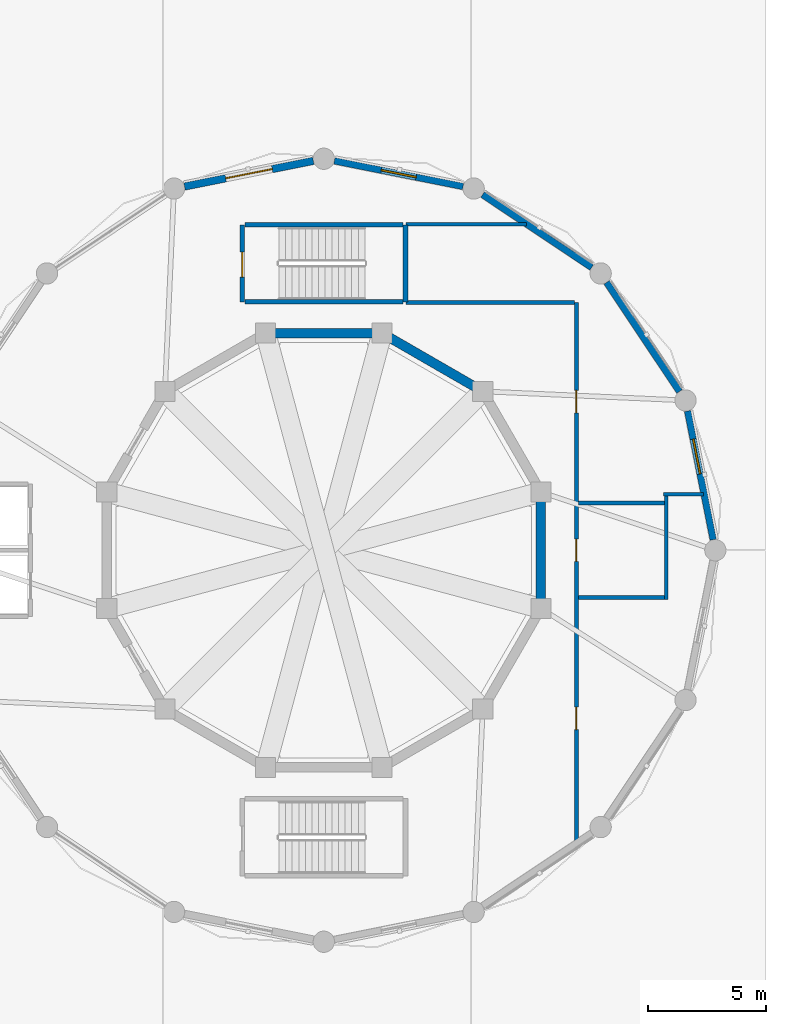
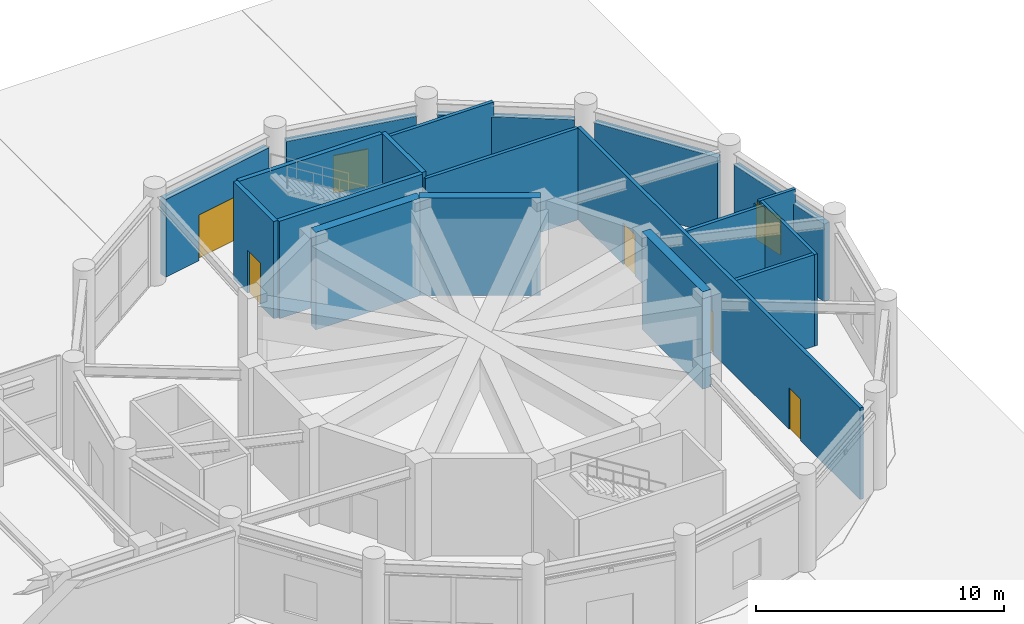
# One storey, part 28 of 40: 19 walls, 5 doors, 2 windows, 7 openings.
"""IFC4 building model written with IfcOpenShell, lengths in metres."""

from ifc_helpers import new_model, si_unit, derived_unit, direction, frame, frame_2d, origin, place, context, subcontext, project, spatial, rectangle, extrude, material, layer, layer_set, type_object, element, fill, save


model = new_model("IFC4")

# Units and contexts
model_context = context("Model", 3, precision=1e-05, world=origin(), true_north=direction((0.0, 1.0)))
body_context = subcontext(model_context, "Body", "Model", "MODEL_VIEW")
ifc_project = project(units=[si_unit("LENGTHUNIT", "METRE"), si_unit("AREAUNIT", "SQUARE_METRE"), si_unit("VOLUMEUNIT", "CUBIC_METRE"), si_unit("PLANEANGLEUNIT", "RADIAN"), si_unit("MASSUNIT", "GRAM", prefix="KILO"), derived_unit("THERMALTRANSMITTANCEUNIT", [(si_unit("POWERUNIT", "WATT"), 1), (si_unit("LENGTHUNIT", "METRE"), -2), (si_unit("THERMODYNAMICTEMPERATUREUNIT", "KELVIN"), -1)])], contexts=[model_context])

# Site, building, storey
site_placement = place(None, origin())
site = spatial("IfcSite", under=ifc_project, at=site_placement, CompositionType="ELEMENT")
building_placement = place(site_placement, origin())
building = spatial("IfcBuilding", under=site, at=building_placement, Name="Korsvarv Bourse and Concert Hall", CompositionType="ELEMENT")
storey_placement = place(building_placement, origin())
storey = spatial("IfcBuildingStorey", under=building, at=storey_placement, Name="L00", CompositionType="ELEMENT", Elevation=0.0)

# Wall, opening, door
ifc_material_1 = material(Name="Concrete C50/60", Category="concrete")
ifc_layer_1 = layer(ifc_material_1, 0.3798828125)
ifc_layer_set_1 = layer_set([ifc_layer_1], Name="Concrete C50/60")
wall_type_1 = type_object("IfcWallType", Name="WL-CORE-380", PredefinedType="SHEAR", material=ifc_layer_set_1)
wall_1_placement = place(storey_placement, frame((103.35009765625, 46.5, 0.0), z_axis=(0.0, 0.0, 1.0), x_axis=(0.0, 1.0, 0.0)))
wall_1 = element("IfcWall", 1, at=wall_1_placement, inside=storey, type_object=wall_type_1, Name="L00 stair shaft structural wall W-L00-STCH1-W", PredefinedType="SHEAR", context=body_context, shape_type="SweptSolid", body=[
    extrude(rectangle(XDim=3.260009765625, YDim=0.199951171875, at=frame_2d((1.6298828125, 0.0))), origin(), (0.0, 0.0, 1.0), 4.800048828125),
])
opening_1_placement = place(wall_1_placement, frame((1.050048828125, 0.0, 0.0)))
opening_1 = element("IfcOpeningElement", 2, at=opening_1_placement, cuts=wall_1, Name="Opening D-01", PredefinedType="OPENING", context=body_context, shape_type="SweptSolid", body=[
    extrude(rectangle(XDim=1.050048828125, YDim=2.10009765625, at=frame_2d((0.52490234375, 1.050048828125))), frame((0.0, 0.10986328125, 0.0), z_axis=(0.0, -1.0, 0.0), x_axis=(1.0, 0.0, 0.0)), (0.0, 0.0, 1.0), 0.219970703125),
])
ifc_material_2 = material(Name="Steel S355 fire door", Category="steel")
door_type_1 = type_object("IfcDoorType", Name="DR-FD60", OperationType="NOTDEFINED", PredefinedType="DOOR", material=ifc_material_2)
door_1_placement = place(opening_1_placement, origin())
door_1 = element("IfcDoor", 3, at=door_1_placement, inside=storey, type_object=door_type_1, Name="L00 interior door DR-L00-STCH1", OperationType="SINGLE_SWING_LEFT", OverallHeight=2.10009765625, OverallWidth=1.050048828125, PredefinedType="DOOR", context=body_context, shape_type="SweptSolid", body=[
    extrude(rectangle(XDim=1.050048828125, YDim=2.10009765625, at=frame_2d((0.52490234375, 1.050048828125))), frame((0.0, 0.02490234375, 0.0), z_axis=(0.0, -1.0, 0.0), x_axis=(1.0, 0.0, 0.0)), (0.0, 0.0, 1.0), 0.050048828125),
])
fill(opening_1, door_1)

# Walls
for number, where, z_axis, x_axis, name in (
    (4, (103.4599609375, 49.760009765625, 0.0), (0.0, 0.0, 1.0), (1.0, 0.0, 0.0), "L00 stair shaft structural wall W-L00-STCH1-N"),
    (5, (103.4599609375, 46.5, 0.0), (0.0, 0.0, 1.0), (1.0, 0.0, 0.0), "L00 stair shaft structural wall W-L00-STCH1-S"),
):
    element("IfcWall", number, at=place(storey_placement, frame(where, z_axis=z_axis, x_axis=x_axis)), inside=storey, type_object=wall_type_1, Name=name, PredefinedType="SHEAR", context=body_context, shape_type="SweptSolid", body=[
        extrude(rectangle(XDim=6.679931640625, YDim=0.199951171875, at=frame_2d((3.33984375, 0.0))), origin(), (0.0, 0.0, 1.0), 4.800048828125),
    ])
wall_2_placement = place(storey_placement, frame((110.25, 46.5, 0.0), z_axis=(0.0, 0.0, 1.0), x_axis=(0.0, 1.0, 0.0)))
element("IfcWall", 6, at=wall_2_placement, inside=storey, type_object=wall_type_1, Name="L00 stair shaft structural wall W-L00-STCH1-E", PredefinedType="SHEAR", context=body_context, shape_type="SweptSolid", body=[
    extrude(rectangle(XDim=3.260009765625, YDim=0.199951171875, at=frame_2d((1.6298828125, 0.0))), origin(), (0.0, 0.0, 1.0), 4.800048828125),
])
ifc_layer_2 = layer(ifc_material_1, 0.39990234375)
ifc_layer_set_2 = layer_set([ifc_layer_2], Name="Concrete C50/60")
wall_type_2 = type_object("IfcWallType", Name="WL-DRM-400", PredefinedType="SOLIDWALL", material=ifc_layer_set_2)
for number, where, z_axis, x_axis, name in (
    (7, (113.517578125, 42.717529296875, 0.0), (0.0, 0.0, 1.0), (-0.866031812033, 0.499988900423, 0.0), "L00 Concert Hall Acoustic Bowl Wall 2"),
    (8, (109.2587890625, 45.17626953125, 0.0), (0.0, 0.0, 1.0), (-1.0, 0.0, 0.0), "L00 Concert Hall Acoustic Bowl Wall 3"),
    (9, (115.976318359375, 33.541259765625, 0.0), (0.0, 0.0, 1.0), (0.0, 1.0, 0.0), "L00 Concert Hall Acoustic Bowl Wall 12"),
):
    element("IfcWall", number, at=place(storey_placement, frame(where, z_axis=z_axis, x_axis=x_axis)), inside=storey, type_object=wall_type_2, Name=name, PredefinedType="SOLIDWALL", context=body_context, shape_type="SweptSolid", body=[
        extrude(rectangle(XDim=4.91748046875, YDim=0.39990234375, at=frame_2d((2.458740234375, 0.0))), origin(), (0.0, 0.0, 1.0), 4.800048828125),
    ])

# Wall, opening, door
ifc_material_3 = material(Name="Precast concrete C45/55 with granite and terracotta", Category="concrete")
ifc_layer_3 = layer(ifc_material_3, 0.320068359375)
ifc_layer_set_3 = layer_set([ifc_layer_3], Name="Precast concrete C45/55 with granite and terracotta")
wall_type_3 = type_object("IfcWallType", Name="WL-EXT-POD", PredefinedType="SOLIDWALL", material=ifc_layer_set_3)
wall_3_placement = place(storey_placement, frame((106.353759765625, 52.461181640625, 0.0), z_axis=(0.0, 0.0, 1.0), x_axis=(-0.980784952156, -0.195091972221, 0.0)))
wall_3 = element("IfcWall", 10, at=wall_3_placement, inside=storey, type_object=wall_type_3, Name="L00 terracotta exterior wall EW-L00-CHD05", PredefinedType="SOLIDWALL", context=body_context, shape_type="SweptSolid", body=[
    extrude(rectangle(XDim=5.547607421875, YDim=0.320068359375, at=frame_2d((2.77392578125, 0.0))), origin(), (0.0, 0.0, 1.0), 3.830078125),
])
opening_2_placement = place(wall_3_placement, frame((1.773681640625, 0.0, 0.0)))
opening_2 = element("IfcOpeningElement", 11, at=opening_2_placement, cuts=wall_3, Name="Opening ED-01", PredefinedType="OPENING", context=body_context, shape_type="SweptSolid", body=[
    extrude(rectangle(XDim=2.0, YDim=2.25, at=frame_2d((1.0, 1.125))), frame((0.0, 0.169921875, 0.0), z_axis=(0.0, -1.0, 0.0), x_axis=(1.0, 0.0, 0.0)), (0.0, 0.0, 1.0), 0.340087890625),
])
ifc_material_4 = material(Name="Thermally broken anodised aluminium and laminated safety glass", Category="aluminium")
door_type_2 = type_object("IfcDoorType", Name="DR-EXT-EXIT", OperationType="DOUBLE_DOOR_SINGLE_SWING", PredefinedType="DOOR", material=ifc_material_4)
door_2_placement = place(opening_2_placement, frame((2.0, 0.0, 0.0), z_axis=(0.0, 0.0, 1.0), x_axis=(-1.0, 0.0, 0.0)))
door_2 = element("IfcDoor", 12, at=door_2_placement, inside=storey, type_object=door_type_2, Name="Concert Hall Final Exit Door CH05", OperationType="DOUBLE_DOOR_SINGLE_SWING", OverallHeight=2.25, OverallWidth=2.0, PredefinedType="DOOR", context=body_context, shape_type="SweptSolid", body=[
    extrude(rectangle(XDim=2.0, YDim=2.25, at=frame_2d((1.0, 1.125))), frame((0.0, 0.02490234375, 0.0), z_axis=(0.0, -1.0, 0.0), x_axis=(1.0, 0.0, 0.0)), (0.0, 0.0, 1.0), 0.050048828125),
])
fill(opening_2, door_2)

# Wall, opening, window
ifc_material_5 = material(Name="Precast concrete C45/55 with fluted terracotta pier", Category="concrete")
ifc_layer_4 = layer(ifc_material_5, 0.280029296875)
ifc_layer_set_4 = layer_set([ifc_layer_4], Name="Precast concrete C45/55 with fluted terracotta pier")
wall_type_4 = type_object("IfcWallType", Name="WL-EXT-TC2", PredefinedType="SOLIDWALL", material=ifc_layer_set_4)
wall_4_placement = place(storey_placement, frame((123.26123046875, 36.4462890625, 0.0), z_axis=(0.0, 0.0, 1.0), x_axis=(-0.195091972221, 0.980784952156, 0.0)))
wall_4 = element("IfcWall", 13, at=wall_4_placement, inside=storey, type_object=wall_type_4, Name="L00 terracotta exterior wall EW-L00-CHD01", PredefinedType="SOLIDWALL", context=body_context, shape_type="SweptSolid", body=[
    extrude(rectangle(XDim=5.547607421875, YDim=0.280029296875, at=frame_2d((2.77392578125, 0.0))), origin(), (0.0, 0.0, 1.0), 3.830078125),
])
opening_3_placement = place(wall_4_placement, frame((2.83544921875, 0.0, 0.75)))
opening_3 = element("IfcOpeningElement", 14, at=opening_3_placement, cuts=wall_4, Name="Opening W-04", PredefinedType="OPENING", context=body_context, shape_type="SweptSolid", body=[
    extrude(rectangle(XDim=1.5, YDim=1.85009765625, at=frame_2d((0.75, 0.925048828125))), frame((0.0, 0.14990234375, 0.0), z_axis=(0.0, -1.0, 0.0), x_axis=(1.0, 0.0, 0.0)), (0.0, 0.0, 1.0), 0.300048828125),
])
ifc_material_6 = material(Name="Thermally broken aluminium frame with triple low-E glass", Category="glass")
window_type = type_object("IfcWindowType", Name="WIN-POD2", PartitioningType="SINGLE_PANEL", PredefinedType="WINDOW", material=ifc_material_6)
window_1_placement = place(opening_3_placement, origin())
window_1 = element("IfcWindow", 15, at=window_1_placement, inside=storey, type_object=window_type, Name="L00 punched facade window W-04", OverallHeight=1.85009765625, OverallWidth=1.5, PartitioningType="SINGLE_PANEL", PredefinedType="WINDOW", context=body_context, shape_type="SweptSolid", body=[
    extrude(rectangle(XDim=1.5, YDim=1.85009765625, at=frame_2d((0.75, 0.925048828125))), frame((0.0, 0.030029296875, 0.0), z_axis=(0.0, -1.0, 0.0), x_axis=(1.0, 0.0, 0.0)), (0.0, 0.0, 1.0), 0.06005859375),
])
fill(opening_3, window_1)

# Walls
for number, where, z_axis, x_axis, name in (
    (16, (121.83740234375, 42.711669921875, 0.0), (0.0, 0.0, 1.0), (-0.555573305798, 0.831467559129, 0.0), "L00 terracotta exterior wall EW-L00-CHD02"),
    (17, (118.124267578125, 47.955322265625, 0.0), (0.0, 0.0, 1.0), (-0.831467559129, 0.555573305798, 0.0), "L00 terracotta exterior wall EW-L00-CHD03"),
):
    element("IfcWall", number, at=place(storey_placement, frame(where, z_axis=z_axis, x_axis=x_axis)), inside=storey, type_object=wall_type_4, Name=name, PredefinedType="SOLIDWALL", context=body_context, shape_type="SweptSolid", body=[
        extrude(rectangle(XDim=5.54736328125, YDim=0.280029296875, at=frame_2d((2.773681640625, 0.0))), origin(), (0.0, 0.0, 1.0), 3.830078125),
    ])

# Wall, opening, window
wall_5_placement = place(storey_placement, frame((112.68701171875, 51.37890625, 0.0), z_axis=(0.0, 0.0, 1.0), x_axis=(-0.980783277025, 0.195100393406, 0.0)))
wall_5 = element("IfcWall", 18, at=wall_5_placement, inside=storey, type_object=wall_type_4, Name="L00 terracotta exterior wall EW-L00-CHD04", PredefinedType="SOLIDWALL", context=body_context, shape_type="SweptSolid", body=[
    extrude(rectangle(XDim=5.54736328125, YDim=0.280029296875, at=frame_2d((2.773681640625, 0.0))), origin(), (0.0, 0.0, 1.0), 3.830078125),
])
opening_4_placement = place(wall_5_placement, frame((2.023681640625, 0.0, 0.75)))
opening_4 = element("IfcOpeningElement", 19, at=opening_4_placement, cuts=wall_5, Name="Opening W-04", PredefinedType="OPENING", context=body_context, shape_type="SweptSolid", body=[
    extrude(rectangle(XDim=1.5, YDim=1.85009765625, at=frame_2d((0.75, 0.925048828125))), frame((0.0, 0.14990234375, 0.0), z_axis=(0.0, -1.0, 0.0), x_axis=(1.0, 0.0, 0.0)), (0.0, 0.0, 1.0), 0.300048828125),
])
window_2_placement = place(opening_4_placement, origin())
window_2 = element("IfcWindow", 20, at=window_2_placement, inside=storey, type_object=window_type, Name="L00 punched facade window W-04", OverallHeight=1.85009765625, OverallWidth=1.5, PartitioningType="SINGLE_PANEL", PredefinedType="WINDOW", context=body_context, shape_type="SweptSolid", body=[
    extrude(rectangle(XDim=1.5, YDim=1.85009765625, at=frame_2d((0.75, 0.925048828125))), frame((0.0, 0.030029296875, 0.0), z_axis=(0.0, -1.0, 0.0), x_axis=(1.0, 0.0, 0.0)), (0.0, 0.0, 1.0), 0.06005859375),
])
fill(opening_4, window_2)

# Wall, openings, doors
ifc_material_7 = material(Name="Double-stud fire-rated acoustic partition", Category="gypsum")
ifc_layer_5 = layer(ifc_material_7, 0.159912109375)
ifc_layer_set_5 = layer_set([ifc_layer_5], Name="Double-stud fire-rated acoustic partition")
wall_type_5 = type_object("IfcWallType", Name="WL-INT-EI60", PredefinedType="PARTITIONING", material=ifc_layer_set_5)
wall_6_placement = place(storey_placement, frame((117.47509765625, 23.630859375, 0.0), z_axis=(0.0, 0.0, 1.0), x_axis=(0.0, 1.0, 0.0)))
wall_6 = element("IfcWall", 21, at=wall_6_placement, inside=storey, type_object=wall_type_5, Name="L00 interior partition wall W-L00-CHFOY-01", PredefinedType="PARTITIONING", context=body_context, shape_type="SweptSolid", body=[
    extrude(rectangle(XDim=22.84912109375, YDim=0.159912109375, at=frame_2d((11.424560546875, 0.0))), origin(), (0.0, 0.0, 1.0), 4.52001953125),
])
opening_5_placement = place(wall_6_placement, frame((11.894287109375, 0.0, 0.0)))
opening_5 = element("IfcOpeningElement", 22, at=opening_5_placement, cuts=wall_6, Name="Opening D-02", PredefinedType="OPENING", context=body_context, shape_type="SweptSolid", body=[
    extrude(rectangle(XDim=0.949951171875, YDim=2.050048828125, at=frame_2d((0.47509765625, 1.02490234375))), frame((0.0, 0.08984375, 0.0), z_axis=(0.0, -1.0, 0.0), x_axis=(1.0, 0.0, 0.0)), (0.0, 0.0, 1.0), 0.179931640625),
])
opening_6_placement = place(wall_6_placement, frame((4.791259765625, 0.0, 0.0)))
opening_6 = element("IfcOpeningElement", 23, at=opening_6_placement, cuts=wall_6, Name="Opening D-02", PredefinedType="OPENING", context=body_context, shape_type="SweptSolid", body=[
    extrude(rectangle(XDim=0.949951171875, YDim=2.050048828125, at=frame_2d((0.47509765625, 1.02490234375))), frame((0.0, 0.08984375, 0.0), z_axis=(0.0, -1.0, 0.0), x_axis=(1.0, 0.0, 0.0)), (0.0, 0.0, 1.0), 0.179931640625),
])
opening_7_placement = place(wall_6_placement, frame((18.17919921875, 0.0, 0.0)))
opening_7 = element("IfcOpeningElement", 24, at=opening_7_placement, cuts=wall_6, Name="Opening D-02", PredefinedType="OPENING", context=body_context, shape_type="SweptSolid", body=[
    extrude(rectangle(XDim=0.949951171875, YDim=2.050048828125, at=frame_2d((0.47509765625, 1.02490234375))), frame((0.0, 0.08984375, 0.0), z_axis=(0.0, -1.0, 0.0), x_axis=(1.0, 0.0, 0.0)), (0.0, 0.0, 1.0), 0.179931640625),
])
ifc_material_8 = material(Name="Timber and steel acoustic fire door", Category="wood")
door_type_3 = type_object("IfcDoorType", Name="DR-FD30", OperationType="NOTDEFINED", PredefinedType="DOOR", material=ifc_material_8)
door_3_placement = place(opening_5_placement, origin())
door_3 = element("IfcDoor", 25, at=door_3_placement, inside=storey, type_object=door_type_3, Name="L00 interior door DR-L00-CHFOY-RWC", OperationType="SINGLE_SWING_LEFT", OverallHeight=2.050048828125, OverallWidth=0.949951171875, PredefinedType="DOOR", context=body_context, shape_type="SweptSolid", body=[
    extrude(rectangle(XDim=0.949951171875, YDim=2.050048828125, at=frame_2d((0.47509765625, 1.02490234375))), frame((0.0, 0.02490234375, 0.0), z_axis=(0.0, -1.0, 0.0), x_axis=(1.0, 0.0, 0.0)), (0.0, 0.0, 1.0), 0.050048828125),
])
fill(opening_5, door_3)
door_4_placement = place(opening_6_placement, origin())
door_4 = element("IfcDoor", 26, at=door_4_placement, inside=storey, type_object=door_type_3, Name="L00 interior door DR-L00-CHFOY-CHWC1", OperationType="SINGLE_SWING_RIGHT", OverallHeight=2.050048828125, OverallWidth=0.949951171875, PredefinedType="DOOR", context=body_context, shape_type="SweptSolid", body=[
    extrude(rectangle(XDim=0.949951171875, YDim=2.050048828125, at=frame_2d((0.47509765625, 1.02490234375))), frame((0.0, 0.02490234375, 0.0), z_axis=(0.0, -1.0, 0.0), x_axis=(1.0, 0.0, 0.0)), (0.0, 0.0, 1.0), 0.050048828125),
])
fill(opening_6, door_4)
door_5_placement = place(opening_7_placement, origin())
door_5 = element("IfcDoor", 27, at=door_5_placement, inside=storey, type_object=door_type_3, Name="L00 interior door DR-L00-CHFOY-CHSUP2", OperationType="SINGLE_SWING_LEFT", OverallHeight=2.050048828125, OverallWidth=0.949951171875, PredefinedType="DOOR", context=body_context, shape_type="SweptSolid", body=[
    extrude(rectangle(XDim=0.949951171875, YDim=2.050048828125, at=frame_2d((0.47509765625, 1.02490234375))), frame((0.0, 0.02490234375, 0.0), z_axis=(0.0, -1.0, 0.0), x_axis=(1.0, 0.0, 0.0)), (0.0, 0.0, 1.0), 0.050048828125),
])
fill(opening_7, door_5)

# Walls
wall_7_placement = place(storey_placement, frame((110.27001953125, 46.47509765625, 0.0), z_axis=(0.0, 0.0, 1.0), x_axis=(1.0, 0.0, 0.0)))
element("IfcWall", 28, at=wall_7_placement, inside=storey, type_object=wall_type_5, Name="L00 interior partition wall W-L00-CHFOY-02", PredefinedType="PARTITIONING", context=body_context, shape_type="SweptSolid", body=[
    extrude(rectangle(XDim=7.123046875, YDim=0.159912109375, at=frame_2d((3.5615234375, 0.0))), origin(), (0.0, 0.0, 1.0), 4.52001953125),
])
wall_8_placement = place(storey_placement, frame((110.27001953125, 49.784912109375, 0.0), z_axis=(0.0, 0.0, 1.0), x_axis=(1.0, 0.0, 0.0)))
element("IfcWall", 29, at=wall_8_placement, inside=storey, type_object=wall_type_5, Name="L00 interior partition wall W-L00-CHFOY-03", PredefinedType="PARTITIONING", context=body_context, shape_type="SweptSolid", body=[
    extrude(rectangle(XDim=5.09619140625, YDim=0.159912109375, at=frame_2d((2.548095703125, 0.0))), origin(), (0.0, 0.0, 1.0), 4.52001953125),
])
for number, where, z_axis, x_axis, name in (
    (30, (117.556884765625, 38.0, 0.0), (0.0, 0.0, 1.0), (1.0, 0.0, 0.0), "L00 interior partition wall W-L00-CHFOY-04"),
    (31, (117.556884765625, 34.0, 0.0), (0.0, 0.0, 1.0), (1.0, 0.0, 0.0), "L00 interior partition wall W-L00-CHFOY-05"),
):
    element("IfcWall", number, at=place(storey_placement, frame(where, z_axis=z_axis, x_axis=x_axis)), inside=storey, type_object=wall_type_5, Name=name, PredefinedType="PARTITIONING", context=body_context, shape_type="SweptSolid", body=[
        extrude(rectangle(XDim=3.64599609375, YDim=0.159912109375, at=frame_2d((1.822998046875, 0.0))), origin(), (0.0, 0.0, 1.0), 4.52001953125),
    ])
ifc_material_9 = material(Name="Insulated steel-stud office acoustic partition", Category="gypsum")
ifc_layer_6 = layer(ifc_material_9, 0.139892578125)
ifc_layer_set_6 = layer_set([ifc_layer_6], Name="Insulated steel-stud office acoustic partition")
wall_type_6 = type_object("IfcWallType", Name="WL-INT-P1", PredefinedType="PARTITIONING", material=ifc_layer_set_6)
wall_9_placement = place(storey_placement, frame((121.27490234375, 33.919921875, 0.0), z_axis=(0.0, 0.0, 1.0), x_axis=(0.0, 1.0, 0.0)))
element("IfcWall", 32, at=wall_9_placement, inside=storey, type_object=wall_type_6, Name="L00 interior partition wall W-L00-CHFOY-06", PredefinedType="PARTITIONING", context=body_context, shape_type="SweptSolid", body=[
    extrude(rectangle(XDim=4.372314453125, YDim=0.139892578125, at=frame_2d((2.18603515625, 0.0))), origin(), (0.0, 0.0, 1.0), 4.52001953125),
])
wall_10_placement = place(storey_placement, frame((121.15625, 38.3642578125, 0.0), z_axis=(0.0, 0.0, 1.0), x_axis=(0.999999907557, 0.000429984194, 0.0)))
element("IfcWall", 33, at=wall_10_placement, inside=storey, type_object=wall_type_6, Name="L00 interior partition wall W-L00-CHFOY-07", PredefinedType="PARTITIONING", context=body_context, shape_type="SweptSolid", body=[
    extrude(rectangle(XDim=1.703369140625, YDim=0.139892578125, at=frame_2d((0.8515625, 0.0))), origin(), (0.0, 0.0, 1.0), 4.52001953125),
])

save(model, "model.ifc")
